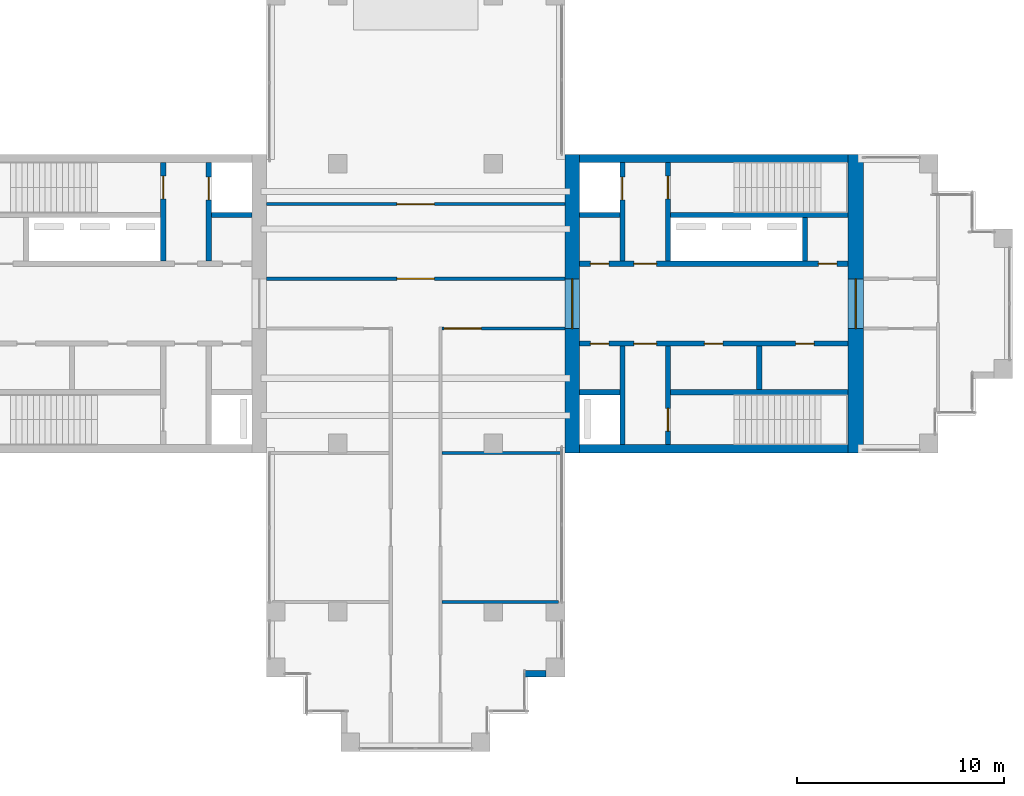
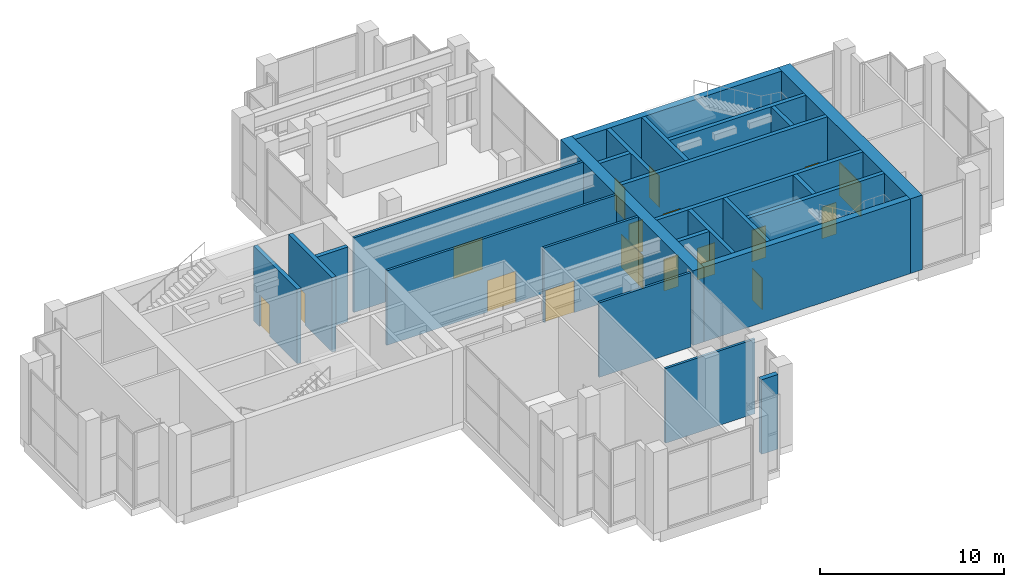
# One storey, part 11 of 13: 25 walls, 17 doors, 17 openings.
"""IFC4 building model written with IfcOpenShell, lengths in metres."""

import ifcopenshell
import ifcopenshell.guid

model = None  # the IFC model being written
_history = None  # IfcOwnerHistory: only IFC2X3 demands one
_inside = {}  # id of a spatial element -> (the spatial element, [elements in it])
_under = {}  # id of a project, library or spatial element -> (it, [spatial elements below it])
_declared = {}  # id of a project -> (the project, [libraries it declares])
_typed = {}  # id of a type object -> (the type object, [elements of that type])
_made_of = {}  # id of a material, layer set ... -> (it, [elements and type objects made of it])


def new_model(schema):
    """Start an empty IFC model of exactly this schema.

    Asked for "IFC4X3", IfcOpenShell would pick the latest addendum, in which some entities
    have other attributes; the version numbers below select the first issue.
    IFC2X3 requires an IfcOwnerHistory on every rooted entity: one is made here for all.
    """
    global model, _history
    if schema == "IFC4X3":
        model = ifcopenshell.file(schema_version=(4, 3, 0, 0))
    else:
        model = ifcopenshell.file(schema=schema)
    _inside.clear()
    _under.clear()
    _declared.clear()
    _typed.clear()
    _made_of.clear()
    _history = None
    if model.schema == "IFC2X3":
        org = make("IfcOrganization", Name="unknown")
        user = make(
            "IfcPersonAndOrganization",
            ThePerson=make("IfcPerson", FamilyName="unknown"),
            TheOrganization=org,
        )
        app = make(
            "IfcApplication",
            ApplicationDeveloper=org,
            Version="unknown",
            ApplicationFullName="unknown",
            ApplicationIdentifier="unknown",
        )
        _history = make(
            "IfcOwnerHistory",
            OwningUser=user,
            OwningApplication=app,
            ChangeAction="ADDED",
            CreationDate=0,
        )
    return model


def make(cls, **values):
    """One entity of the class cls with the attributes given. An attribute that is None is left unset."""
    return model.create_entity(
        cls, **{name: value for name, value in values.items() if value is not None}
    )


def rooted(cls, **values):
    """An entity with a GlobalId (a new one), such as an element, a storey or a relation."""
    return make(cls, GlobalId=ifcopenshell.guid.new(), OwnerHistory=_history, **values)


def si_unit(unit_type, name, prefix=None):
    """IfcSIUnit, for example si_unit("LENGTHUNIT", "METRE", prefix="MILLI")."""
    return make("IfcSIUnit", UnitType=unit_type, Prefix=prefix, Name=name)


def assignment(units):
    """IfcUnitAssignment: the units of a project."""
    return None if units is None else make("IfcUnitAssignment", Units=units)


def point(xyz):
    """IfcCartesianPoint."""
    return None if xyz is None else make("IfcCartesianPoint", Coordinates=xyz)


def direction(xyz):
    """IfcDirection."""
    return None if xyz is None else make("IfcDirection", DirectionRatios=xyz)


def frame(location, z_axis=None, x_axis=None):
    """IfcAxis2Placement3D, a coordinate frame: its origin and axes. An axis left out is left unset."""
    return make(
        "IfcAxis2Placement3D",
        Location=point(location),
        Axis=direction(z_axis),
        RefDirection=direction(x_axis),
    )


def frame_2d(location, x_axis=None):
    """IfcAxis2Placement2D, a coordinate frame in the plane: its origin and x axis."""
    return make(
        "IfcAxis2Placement2D", Location=point(location), RefDirection=direction(x_axis)
    )


def origin():
    """The frame at (0, 0, 0) with its axes left unset."""
    return frame((0.0, 0.0, 0.0))


def place(relative_to, where):
    """IfcLocalPlacement: puts the frame where relative to a parent placement (None: the world)."""
    return make(
        "IfcLocalPlacement", PlacementRelTo=relative_to, RelativePlacement=where
    )


def context(
    kind, dimensions, precision=None, world=None, true_north=None, identifier=None
):
    """IfcGeometricRepresentationContext, for example the 3D "Model" context."""
    return make(
        "IfcGeometricRepresentationContext",
        ContextIdentifier=identifier,
        ContextType=kind,
        CoordinateSpaceDimension=dimensions,
        Precision=precision,
        WorldCoordinateSystem=world,
        TrueNorth=true_north,
    )


def subcontext(parent, identifier, kind, view, scale=None):
    """IfcGeometricRepresentationSubContext, for example "Body" below "Model"."""
    return make(
        "IfcGeometricRepresentationSubContext",
        ContextIdentifier=identifier,
        ContextType=kind,
        ParentContext=parent,
        TargetScale=scale,
        TargetView=view,
    )


def project(units=None, contexts=None):
    """IfcProject with its units and contexts."""
    return rooted(
        "IfcProject",
        Name="project",
        RepresentationContexts=contexts,
        UnitsInContext=assignment(units),
    )


def spatial(cls, under=None, at=None, **own):
    """A site, building, storey or space (cls), placed at a placement, below another one or the project."""
    s = rooted(cls, ObjectPlacement=at, **own)
    if under is not None:
        _under.setdefault(under.id(), (under, []))[1].append(s)
    return s


def profile(cls, at=None, kind="AREA", **sizes):
    """A parametric profile (cls). Its sizes go by their IFC names, for example OverallWidth=200.0."""
    return make(cls, ProfileType=kind, Position=at, **sizes)


def rectangle(**sizes):
    """IfcRectangleProfileDef."""
    return profile("IfcRectangleProfileDef", **sizes)


def extrude(swept, where, along, depth):
    """IfcExtrudedAreaSolid: the profile swept, set in the frame where, extruded along a direction by depth."""
    return make(
        "IfcExtrudedAreaSolid",
        SweptArea=swept,
        Position=where,
        ExtrudedDirection=direction(along),
        Depth=depth,
    )


def shape(context_of_items, identifier, shape_type, items):
    """IfcShapeRepresentation: the items that make up one representation, for example the "Body"."""
    return make(
        "IfcShapeRepresentation",
        ContextOfItems=context_of_items,
        RepresentationIdentifier=identifier,
        RepresentationType=shape_type,
        Items=items,
    )


def material(Name=None, Category=None):
    """IfcMaterial."""
    return make("IfcMaterial", Name=Name, Category=Category)


def layer(
    of_material, thickness, ventilated=None, Name=None, Category=None, Priority=None
):
    """IfcMaterialLayer: one layer of a wall or slab, of a material (None: an air gap)."""
    return make(
        "IfcMaterialLayer",
        Material=of_material,
        LayerThickness=thickness,
        IsVentilated=ventilated,
        Name=Name,
        Category=Category,
        Priority=Priority,
    )


def layer_set(layers, Name=None):
    """IfcMaterialLayerSet."""
    return make("IfcMaterialLayerSet", MaterialLayers=layers, LayerSetName=Name)


def made_of(thing, what):
    """Note that an element or type object is made of a material, layer set ...; save() writes the relation."""
    if what is not None:
        _made_of.setdefault(what.id(), (what, []))[1].append(thing)
    return thing


def type_object(cls, material=None, **own):
    """A type object (cls), such as IfcWallType, which elements share."""
    return made_of(rooted(cls, **own), material)


def element(
    cls,
    number,
    at=None,
    inside=None,
    cuts=None,
    type_object=None,
    material=None,
    context=None,
    identifier="Body",
    shape_type=None,
    held_by="IfcProductDefinitionShape",
    body=None,
    shapes=None,
    **own,
):
    """One element of the class cls, such as IfcWall. Its Tag is "e" and its number.

    at: its placement. inside: the storey or other place that contains it. cuts: it is an
    opening in that element (IfcRelVoidsElement). A single representation is given by context,
    identifier, shape_type and body (its items); several are given by shapes. held_by: the class
    of the entity that holds the representations. save() writes the other relations.
    """
    e = rooted(cls, Tag="e%d" % number, ObjectPlacement=at, **own)
    if body is not None:
        shapes = [shape(context, identifier, shape_type, body)]
    if shapes is not None:
        e.Representation = make(held_by, Representations=shapes)
    if inside is not None:
        _inside.setdefault(inside.id(), (inside, []))[1].append(e)
    if cuts is not None:
        rooted(
            "IfcRelVoidsElement", RelatingBuildingElement=cuts, RelatedOpeningElement=e
        )
    if type_object is not None:
        _typed.setdefault(type_object.id(), (type_object, []))[1].append(e)
    return made_of(e, material)


def fill(opening, filler):
    """IfcRelFillsElement: the door or window that sits in an opening."""
    return rooted(
        "IfcRelFillsElement",
        RelatingOpeningElement=opening,
        RelatedBuildingElement=filler,
    )


def aggregate(whole, parts):
    """IfcRelAggregates: a whole, such as a stair, and the parts it consists of."""
    return rooted("IfcRelAggregates", RelatingObject=whole, RelatedObjects=parts)


def save(model, path):
    """Write the relations noted so far, then the file.

    IfcRelAggregates (storeys below a building ...), IfcRelContainedInSpatialStructure (elements
    in a storey), IfcRelDefinesByType, IfcRelAssociatesMaterial and IfcRelDeclares: one each for
    every whole, place, type object, material and project.
    """
    for whole, parts in _under.values():
        aggregate(whole, parts)
    for where, things in _inside.values():
        rooted(
            "IfcRelContainedInSpatialStructure",
            RelatedElements=things,
            RelatingStructure=where,
        )
    for kind, things in _typed.values():
        rooted("IfcRelDefinesByType", RelatedObjects=things, RelatingType=kind)
    for what, things in _made_of.values():
        rooted("IfcRelAssociatesMaterial", RelatedObjects=things, RelatingMaterial=what)
    for by, libraries in _declared.values():
        rooted("IfcRelDeclares", RelatingContext=by, RelatedDefinitions=libraries)
    model.write(path)


model = new_model("IFC4")

# Units and contexts
model_context = context("Model", 3, precision=1e-05, world=origin(), true_north=direction((0.0, 1.0)))
body_context = subcontext(model_context, "Body", "Model", "MODEL_VIEW")
ifc_project = project(units=[si_unit("LENGTHUNIT", "METRE"), si_unit("AREAUNIT", "SQUARE_METRE"), si_unit("VOLUMEUNIT", "CUBIC_METRE"), si_unit("PLANEANGLEUNIT", "RADIAN"), si_unit("MASSUNIT", "GRAM", prefix="KILO")], contexts=[model_context])

# Site, building, storey
site_placement = place(None, origin())
site = spatial("IfcSite", under=ifc_project, at=site_placement, CompositionType="ELEMENT")
building_placement = place(site_placement, origin())
building = spatial("IfcBuilding", under=site, at=building_placement, Name="Fustian Cross Tower", CompositionType="ELEMENT")
storey_placement = place(building_placement, frame((0.0, 0.0, 242.10009765625)))
storey = spatial("IfcBuildingStorey", under=building, at=storey_placement, Name="L76", CompositionType="ELEMENT", Elevation=242.10009765625)

# Wall, opening, door
ifc_material_1 = material(Name="Plasterboard on steel stud", Category="steel")
ifc_layer_1 = layer(ifc_material_1, 0.14990234375)
ifc_layer_set_1 = layer_set([ifc_layer_1], Name="Plasterboard on steel stud")
wall_type_1 = type_object("IfcWallType", Name="COMPARTMENT WALL 150 EI 60", PredefinedType="PARTITIONING", material=ifc_layer_set_1)
wall_1_placement = place(storey_placement, frame((-7.199951171875, 1.199951171875, 0.0), z_axis=(0.0, 0.0, 1.0), x_axis=(1.0, 0.0, 0.0)))
wall_1 = element("IfcWall", 1, at=wall_1_placement, inside=storey, type_object=wall_type_1, Name="Partition 5", PredefinedType="PARTITIONING", context=body_context, shape_type="SweptSolid", body=[
    extrude(rectangle(XDim=14.39990234375, YDim=0.14990234375, at=frame_2d((7.199951171875, 0.0))), origin(), (0.0, 0.0, 1.0), 4.949951171875),
])
opening_1_placement = place(wall_1_placement, frame((6.300048828125, 0.0, 0.0)))
opening_1 = element("IfcOpeningElement", 2, at=opening_1_placement, cuts=wall_1, Name="Opening D35001", PredefinedType="OPENING", context=body_context, shape_type="SweptSolid", body=[
    extrude(rectangle(XDim=1.800048828125, YDim=2.10009765625, at=frame_2d((0.89990234375, 1.050048828125))), frame((0.0, 0.0849609375, 0.0), z_axis=(0.0, -1.0, 0.0), x_axis=(1.0, 0.0, 0.0)), (0.0, 0.0, 1.0), 0.169921875),
])
ifc_material_2 = material(Name="Timber fire door set", Category="wood")
door_type_1 = type_object("IfcDoorType", Name="FIRE DOUBLE DOOR 1800 FD30S", OperationType="DOUBLE_DOOR_DOUBLE_SWING", PredefinedType="DOOR", material=ifc_material_2)
door_1_placement = place(opening_1_placement, frame((1.800048828125, 0.0, 0.0), z_axis=(0.0, 0.0, 1.0), x_axis=(-1.0, 0.0, 0.0)))
door_1 = element("IfcDoor", 3, at=door_1_placement, inside=storey, type_object=door_type_1, Name="Door D35001", OperationType="DOUBLE_DOOR_DOUBLE_SWING", OverallHeight=2.10009765625, OverallWidth=1.800048828125, PredefinedType="DOOR", context=body_context, shape_type="SweptSolid", body=[
    extrude(rectangle(XDim=1.800048828125, YDim=2.10009765625, at=frame_2d((0.89990234375, 1.050048828125))), frame((0.0, 0.02490234375, 0.0), z_axis=(0.0, -1.0, 0.0), x_axis=(1.0, 0.0, 0.0)), (0.0, 0.0, 1.0), 0.050048828125),
])
fill(opening_1, door_1)

wall_2_placement = place(storey_placement, frame((-7.199951171875, 4.800048828125, 0.0), z_axis=(0.0, 0.0, 1.0), x_axis=(1.0, 0.0, 0.0)))
wall_2 = element("IfcWall", 4, at=wall_2_placement, inside=storey, type_object=wall_type_1, Name="Partition 6", PredefinedType="PARTITIONING", context=body_context, shape_type="SweptSolid", body=[
    extrude(rectangle(XDim=14.39990234375, YDim=0.14990234375, at=frame_2d((7.199951171875, 0.0))), origin(), (0.0, 0.0, 1.0), 4.949951171875),
])
opening_2_placement = place(wall_2_placement, frame((6.300048828125, 0.0, 0.0)))
opening_2 = element("IfcOpeningElement", 5, at=opening_2_placement, cuts=wall_2, Name="Opening D35002", PredefinedType="OPENING", context=body_context, shape_type="SweptSolid", body=[
    extrude(rectangle(XDim=1.800048828125, YDim=2.10009765625, at=frame_2d((0.89990234375, 1.050048828125))), frame((0.0, 0.0849609375, 0.0), z_axis=(0.0, -1.0, 0.0), x_axis=(1.0, 0.0, 0.0)), (0.0, 0.0, 1.0), 0.169921875),
])
ifc_material_3 = material(Name="Timber fire door set", Category="wood")
door_type_2 = type_object("IfcDoorType", Name="FIRE DOUBLE DOOR 1800 FD60S", OperationType="DOUBLE_DOOR_DOUBLE_SWING", PredefinedType="DOOR", material=ifc_material_3)
door_2_placement = place(opening_2_placement, frame((1.800048828125, 0.0, 0.0), z_axis=(0.0, 0.0, 1.0), x_axis=(-1.0, 0.0, 0.0)))
door_2 = element("IfcDoor", 6, at=door_2_placement, inside=storey, type_object=door_type_2, Name="Door D35002", OperationType="DOUBLE_DOOR_DOUBLE_SWING", OverallHeight=2.10009765625, OverallWidth=1.800048828125, PredefinedType="DOOR", context=body_context, shape_type="SweptSolid", body=[
    extrude(rectangle(XDim=1.800048828125, YDim=2.10009765625, at=frame_2d((0.89990234375, 1.050048828125))), frame((0.0, 0.02490234375, 0.0), z_axis=(0.0, -1.0, 0.0), x_axis=(1.0, 0.0, 0.0)), (0.0, 0.0, 1.0), 0.050048828125),
])
fill(opening_2, door_2)

# Walls
wall_3_placement = place(storey_placement, frame((1.27490234375, -14.39990234375, 0.0), z_axis=(0.0, 0.0, 1.0), x_axis=(1.0, 0.0, 0.0)))
element("IfcWall", 7, at=wall_3_placement, inside=storey, type_object=wall_type_1, Name="Partition 11", PredefinedType="PARTITIONING", context=body_context, shape_type="SweptSolid", body=[
    extrude(rectangle(XDim=5.625, YDim=0.14990234375, at=frame_2d((2.8125, 0.0))), origin(), (0.0, 0.0, 1.0), 4.949951171875),
])
wall_4_placement = place(storey_placement, frame((1.27490234375, -7.199951171875, 0.0), z_axis=(0.0, 0.0, 1.0), x_axis=(1.0, 0.0, 0.0)))
element("IfcWall", 8, at=wall_4_placement, inside=storey, type_object=wall_type_1, Name="Partition 12", PredefinedType="PARTITIONING", context=body_context, shape_type="SweptSolid", body=[
    extrude(rectangle(XDim=5.7451171875, YDim=0.14990234375, at=frame_2d((2.87255859375, 0.0))), origin(), (0.0, 0.0, 1.0), 4.949951171875),
])

# Wall, opening, door
wall_5_placement = place(storey_placement, frame((1.27490234375, -1.199951171875, 0.0), z_axis=(0.0, 0.0, 1.0), x_axis=(1.0, 0.0, 0.0)))
wall_5 = element("IfcWall", 9, at=wall_5_placement, inside=storey, type_object=wall_type_1, Name="Partition 13", PredefinedType="PARTITIONING", context=body_context, shape_type="SweptSolid", body=[
    extrude(rectangle(XDim=5.925048828125, YDim=0.14990234375, at=frame_2d((2.96240234375, 0.0))), origin(), (0.0, 0.0, 1.0), 4.949951171875),
])
opening_3_placement = place(wall_5_placement, frame((0.10009765625, 0.0, 0.0)))
opening_3 = element("IfcOpeningElement", 10, at=opening_3_placement, cuts=wall_5, Name="Opening D35004", PredefinedType="OPENING", context=body_context, shape_type="SweptSolid", body=[
    extrude(rectangle(XDim=1.800048828125, YDim=2.10009765625, at=frame_2d((0.89990234375, 1.050048828125))), frame((0.0, 0.0849609375, 0.0), z_axis=(0.0, -1.0, 0.0), x_axis=(1.0, 0.0, 0.0)), (0.0, 0.0, 1.0), 0.169921875),
])
door_3_placement = place(opening_3_placement, origin())
door_3 = element("IfcDoor", 11, at=door_3_placement, inside=storey, type_object=door_type_2, Name="Door D35004", OperationType="DOUBLE_DOOR_DOUBLE_SWING", OverallHeight=2.10009765625, OverallWidth=1.800048828125, PredefinedType="DOOR", context=body_context, shape_type="SweptSolid", body=[
    extrude(rectangle(XDim=1.800048828125, YDim=2.10009765625, at=frame_2d((0.89990234375, 1.050048828125))), frame((0.0, 0.02490234375, 0.0), z_axis=(0.0, -1.0, 0.0), x_axis=(1.0, 0.0, 0.0)), (0.0, 0.0, 1.0), 0.050048828125),
])
fill(opening_3, door_3)

ifc_material_4 = material(Name="Concrete C50/60", Category="concrete")
ifc_layer_2 = layer(ifc_material_4, 0.699951171875)
ifc_layer_set_2 = layer_set([ifc_layer_2], Name="Concrete C50/60")
wall_type_2 = type_object("IfcWallType", Name="CORE END WALL 700 C50/60", PredefinedType="SHEAR", material=ifc_layer_set_2)
wall_6_placement = place(storey_placement, frame((7.550048828125, -7.199951171875, 0.0), z_axis=(0.0, 0.0, 1.0), x_axis=(0.0, 1.0, 0.0)))
wall_6 = element("IfcWall", 12, at=wall_6_placement, inside=storey, type_object=wall_type_2, Name="Core end wall", PredefinedType="SHEAR", context=body_context, shape_type="SweptSolid", body=[
    extrude(rectangle(XDim=14.39990234375, YDim=0.699951171875, at=frame_2d((7.199951171875, 0.0))), origin(), (0.0, 0.0, 1.0), 4.949951171875),
])
opening_4_placement = place(wall_6_placement, frame((6.0, 0.0, 0.0)))
opening_4 = element("IfcOpeningElement", 13, at=opening_4_placement, cuts=wall_6, Name="Opening CD-31-08", PredefinedType="OPENING", context=body_context, shape_type="SweptSolid", body=[
    extrude(rectangle(XDim=2.39990234375, YDim=2.199951171875, at=frame_2d((1.199951171875, 1.10009765625))), frame((0.0, 0.35986328125, 0.0), z_axis=(0.0, -1.0, 0.0), x_axis=(1.0, 0.0, 0.0)), (0.0, 0.0, 1.0), 0.719970703125),
])
ifc_material_5 = material(Name="Steel", Category="steel")
door_type_3 = type_object("IfcDoorType", Name="FIRE DOOR FD30S DOUBLE 2400X2200", OperationType="DOUBLE_DOOR_DOUBLE_SWING", PredefinedType="DOOR", material=ifc_material_5)
door_4_placement = place(opening_4_placement, frame((2.39990234375, 0.0, 0.0), z_axis=(0.0, 0.0, 1.0), x_axis=(-1.0, 0.0, 0.0)))
door_4 = element("IfcDoor", 14, at=door_4_placement, inside=storey, type_object=door_type_3, Name="Core door CD-31-08", OperationType="DOUBLE_DOOR_DOUBLE_SWING", OverallHeight=2.199951171875, OverallWidth=2.39990234375, PredefinedType="DOOR", context=body_context, shape_type="SweptSolid", body=[
    extrude(rectangle(XDim=2.39990234375, YDim=2.199951171875, at=frame_2d((1.199951171875, 1.10009765625))), frame((0.0, 0.02490234375, 0.0), z_axis=(0.0, -1.0, 0.0), x_axis=(1.0, 0.0, 0.0)), (0.0, 0.0, 1.0), 0.050048828125),
])
fill(opening_4, door_4)

ifc_material_6 = material(Name="Concrete C50/60", Category="concrete")
ifc_layer_3 = layer(ifc_material_6, 0.75)
ifc_layer_set_3 = layer_set([ifc_layer_3], Name="Concrete C50/60")
wall_type_3 = type_object("IfcWallType", Name="CORE END WALL 750 C50/60", PredefinedType="SHEAR", material=ifc_layer_set_3)
wall_7_placement = place(storey_placement, frame((21.22509765625, -7.199951171875, 0.0), z_axis=(0.0, 0.0, 1.0), x_axis=(0.0, 1.0, 0.0)))
wall_7 = element("IfcWall", 15, at=wall_7_placement, inside=storey, type_object=wall_type_3, Name="Core end wall", PredefinedType="SHEAR", context=body_context, shape_type="SweptSolid", body=[
    extrude(rectangle(XDim=14.39990234375, YDim=0.75, at=frame_2d((7.199951171875, 0.0))), origin(), (0.0, 0.0, 1.0), 4.949951171875),
])
opening_5_placement = place(wall_7_placement, frame((6.0, 0.0, 0.0)))
opening_5 = element("IfcOpeningElement", 16, at=opening_5_placement, cuts=wall_7, Name="Opening CD-31-09", PredefinedType="OPENING", context=body_context, shape_type="SweptSolid", body=[
    extrude(rectangle(XDim=2.39990234375, YDim=2.199951171875, at=frame_2d((1.199951171875, 1.10009765625))), frame((0.0, 0.385009765625, 0.0), z_axis=(0.0, -1.0, 0.0), x_axis=(1.0, 0.0, 0.0)), (0.0, 0.0, 1.0), 0.77001953125),
])
door_5_placement = place(opening_5_placement, origin())
door_5 = element("IfcDoor", 17, at=door_5_placement, inside=storey, type_object=door_type_3, Name="Core door CD-31-09", OperationType="DOUBLE_DOOR_DOUBLE_SWING", OverallHeight=2.199951171875, OverallWidth=2.39990234375, PredefinedType="DOOR", context=body_context, shape_type="SweptSolid", body=[
    extrude(rectangle(XDim=2.39990234375, YDim=2.199951171875, at=frame_2d((1.199951171875, 1.10009765625))), frame((0.0, 0.02490234375, 0.0), z_axis=(0.0, -1.0, 0.0), x_axis=(1.0, 0.0, 0.0)), (0.0, 0.0, 1.0), 0.050048828125),
])
fill(opening_5, door_5)

# Walls
ifc_material_7 = material(Name="Concrete C50/60", Category="concrete")
ifc_layer_4 = layer(ifc_material_7, 0.39990234375)
ifc_layer_set_4 = layer_set([ifc_layer_4], Name="Concrete C50/60")
wall_type_4 = type_object("IfcWallType", Name="CORE FACADE WALL 400 C50/60", PredefinedType="SHEAR", material=ifc_layer_set_4)
for number, where, z_axis, x_axis, name in (
    (18, (7.89990234375, 7.0, 0.0), (0.0, 0.0, 1.0), (1.0, 0.0, 0.0), "Core facade wall"),
    (19, (7.89990234375, -7.0, 0.0), (0.0, 0.0, 1.0), (1.0, 0.0, 0.0), "Core facade wall"),
):
    element("IfcWall", number, at=place(storey_placement, frame(where, z_axis=z_axis, x_axis=x_axis)), inside=storey, type_object=wall_type_4, Name=name, PredefinedType="SHEAR", context=body_context, shape_type="SweptSolid", body=[
        extrude(rectangle(XDim=12.9501953125, YDim=0.39990234375, at=frame_2d((6.47509765625, 0.0))), origin(), (0.0, 0.0, 1.0), 4.949951171875),
    ])

# Wall, openings, doors
ifc_material_8 = material(Name="Concrete C50/60", Category="concrete")
ifc_layer_5 = layer(ifc_material_8, 0.25)
ifc_layer_set_5 = layer_set([ifc_layer_5], Name="Concrete C50/60")
wall_type_5 = type_object("IfcWallType", Name="CORE LOBBY WALL 250 C50/60", PredefinedType="SHEAR", material=ifc_layer_set_5)
wall_8_placement = place(storey_placement, frame((7.89990234375, 1.925048828125, 0.0), z_axis=(0.0, 0.0, 1.0), x_axis=(1.0, 0.0, 0.0)))
wall_8 = element("IfcWall", 20, at=wall_8_placement, inside=storey, type_object=wall_type_5, Name="Core lobby wall", PredefinedType="SHEAR", context=body_context, shape_type="SweptSolid", body=[
    extrude(rectangle(XDim=12.9501953125, YDim=0.25, at=frame_2d((6.47509765625, 0.0))), origin(), (0.0, 0.0, 1.0), 4.949951171875),
])
opening_6_placement = place(wall_8_placement, frame((0.52490234375, 0.0, 0.0)))
opening_6 = element("IfcOpeningElement", 21, at=opening_6_placement, cuts=wall_8, Name="Opening CD-31-04", PredefinedType="OPENING", context=body_context, shape_type="SweptSolid", body=[
    extrude(rectangle(XDim=0.89990234375, YDim=2.10009765625, at=frame_2d((0.449951171875, 1.050048828125))), frame((0.0, 0.135009765625, 0.0), z_axis=(0.0, -1.0, 0.0), x_axis=(1.0, 0.0, 0.0)), (0.0, 0.0, 1.0), 0.27001953125),
])
opening_7_placement = place(wall_8_placement, frame((2.625, 0.0, 0.0)))
opening_7 = element("IfcOpeningElement", 22, at=opening_7_placement, cuts=wall_8, Name="Opening CD-31-06", PredefinedType="OPENING", context=body_context, shape_type="SweptSolid", body=[
    extrude(rectangle(XDim=1.10009765625, YDim=2.10009765625, at=frame_2d((0.550048828125, 1.050048828125))), frame((0.0, 0.135009765625, 0.0), z_axis=(0.0, -1.0, 0.0), x_axis=(1.0, 0.0, 0.0)), (0.0, 0.0, 1.0), 0.27001953125),
])
opening_8_placement = place(wall_8_placement, frame((11.52490234375, 0.0, 0.0)))
opening_8 = element("IfcOpeningElement", 23, at=opening_8_placement, cuts=wall_8, Name="Opening CD-31-10", PredefinedType="OPENING", context=body_context, shape_type="SweptSolid", body=[
    extrude(rectangle(XDim=0.89990234375, YDim=2.10009765625, at=frame_2d((0.449951171875, 1.050048828125))), frame((0.0, 0.135009765625, 0.0), z_axis=(0.0, -1.0, 0.0), x_axis=(1.0, 0.0, 0.0)), (0.0, 0.0, 1.0), 0.27001953125),
])
ifc_material_9 = material(Name="Steel", Category="steel")
door_type_4 = type_object("IfcDoorType", Name="FIRE DOOR FD30S 900X2100", OperationType="SINGLE_SWING_LEFT", PredefinedType="DOOR", material=ifc_material_9)
door_6_placement = place(opening_8_placement, origin())
door_6 = element("IfcDoor", 24, at=door_6_placement, inside=storey, type_object=door_type_4, Name="Core door CD-31-10", OperationType="SINGLE_SWING_LEFT", OverallHeight=2.10009765625, OverallWidth=0.89990234375, PredefinedType="DOOR", context=body_context, shape_type="SweptSolid", body=[
    extrude(rectangle(XDim=0.89990234375, YDim=2.10009765625, at=frame_2d((0.449951171875, 1.050048828125))), frame((0.0, 0.02490234375, 0.0), z_axis=(0.0, -1.0, 0.0), x_axis=(1.0, 0.0, 0.0)), (0.0, 0.0, 1.0), 0.050048828125),
])
fill(opening_8, door_6)
ifc_material_10 = material(Name="Steel", Category="steel")
door_type_5 = type_object("IfcDoorType", Name="FIRE DOOR FD60S 1100X2100", OperationType="SINGLE_SWING_LEFT", PredefinedType="DOOR", material=ifc_material_10)
door_7_placement = place(opening_7_placement, frame((1.10009765625, 0.0, 0.0), z_axis=(0.0, 0.0, 1.0), x_axis=(-1.0, 0.0, 0.0)))
door_7 = element("IfcDoor", 25, at=door_7_placement, inside=storey, type_object=door_type_5, Name="Core door CD-31-06", OperationType="SINGLE_SWING_RIGHT", OverallHeight=2.10009765625, OverallWidth=1.10009765625, PredefinedType="DOOR", context=body_context, shape_type="SweptSolid", body=[
    extrude(rectangle(XDim=1.10009765625, YDim=2.10009765625, at=frame_2d((0.550048828125, 1.050048828125))), frame((0.0, 0.02490234375, 0.0), z_axis=(0.0, -1.0, 0.0), x_axis=(1.0, 0.0, 0.0)), (0.0, 0.0, 1.0), 0.050048828125),
])
fill(opening_7, door_7)
ifc_material_11 = material(Name="Steel", Category="steel")
door_type_6 = type_object("IfcDoorType", Name="FIRE DOOR FD60S 900X2100", OperationType="SINGLE_SWING_LEFT", PredefinedType="DOOR", material=ifc_material_11)
door_8_placement = place(opening_6_placement, origin())
door_8 = element("IfcDoor", 26, at=door_8_placement, inside=storey, type_object=door_type_6, Name="Core door CD-31-04", OperationType="SINGLE_SWING_LEFT", OverallHeight=2.10009765625, OverallWidth=0.89990234375, PredefinedType="DOOR", context=body_context, shape_type="SweptSolid", body=[
    extrude(rectangle(XDim=0.89990234375, YDim=2.10009765625, at=frame_2d((0.449951171875, 1.050048828125))), frame((0.0, 0.02490234375, 0.0), z_axis=(0.0, -1.0, 0.0), x_axis=(1.0, 0.0, 0.0)), (0.0, 0.0, 1.0), 0.050048828125),
])
fill(opening_6, door_8)

wall_9_placement = place(storey_placement, frame((7.89990234375, -1.925048828125, 0.0), z_axis=(0.0, 0.0, 1.0), x_axis=(1.0, 0.0, 0.0)))
wall_9 = element("IfcWall", 27, at=wall_9_placement, inside=storey, type_object=wall_type_5, Name="Core lobby wall", PredefinedType="SHEAR", context=body_context, shape_type="SweptSolid", body=[
    extrude(rectangle(XDim=12.9501953125, YDim=0.25, at=frame_2d((6.47509765625, 0.0))), origin(), (0.0, 0.0, 1.0), 4.949951171875),
])
opening_9_placement = place(wall_9_placement, frame((0.52490234375, 0.0, 0.0)))
opening_9 = element("IfcOpeningElement", 28, at=opening_9_placement, cuts=wall_9, Name="Opening CD-31-05", PredefinedType="OPENING", context=body_context, shape_type="SweptSolid", body=[
    extrude(rectangle(XDim=0.89990234375, YDim=2.10009765625, at=frame_2d((0.449951171875, 1.050048828125))), frame((0.0, 0.135009765625, 0.0), z_axis=(0.0, -1.0, 0.0), x_axis=(1.0, 0.0, 0.0)), (0.0, 0.0, 1.0), 0.27001953125),
])
opening_10_placement = place(wall_9_placement, frame((2.625, 0.0, 0.0)))
opening_10 = element("IfcOpeningElement", 29, at=opening_10_placement, cuts=wall_9, Name="Opening CD-31-07", PredefinedType="OPENING", context=body_context, shape_type="SweptSolid", body=[
    extrude(rectangle(XDim=1.10009765625, YDim=2.10009765625, at=frame_2d((0.550048828125, 1.050048828125))), frame((0.0, 0.135009765625, 0.0), z_axis=(0.0, -1.0, 0.0), x_axis=(1.0, 0.0, 0.0)), (0.0, 0.0, 1.0), 0.27001953125),
])
opening_11_placement = place(wall_9_placement, frame((6.02490234375, 0.0, 0.0)))
opening_11 = element("IfcOpeningElement", 30, at=opening_11_placement, cuts=wall_9, Name="Opening CD-31-11", PredefinedType="OPENING", context=body_context, shape_type="SweptSolid", body=[
    extrude(rectangle(XDim=0.89990234375, YDim=2.10009765625, at=frame_2d((0.449951171875, 1.050048828125))), frame((0.0, 0.135009765625, 0.0), z_axis=(0.0, -1.0, 0.0), x_axis=(1.0, 0.0, 0.0)), (0.0, 0.0, 1.0), 0.27001953125),
])
opening_12_placement = place(wall_9_placement, frame((10.425048828125, 0.0, 0.0)))
opening_12 = element("IfcOpeningElement", 31, at=opening_12_placement, cuts=wall_9, Name="Opening CD-31-12", PredefinedType="OPENING", context=body_context, shape_type="SweptSolid", body=[
    extrude(rectangle(XDim=0.89990234375, YDim=2.10009765625, at=frame_2d((0.449951171875, 1.050048828125))), frame((0.0, 0.135009765625, 0.0), z_axis=(0.0, -1.0, 0.0), x_axis=(1.0, 0.0, 0.0)), (0.0, 0.0, 1.0), 0.27001953125),
])
ifc_material_12 = material(Name="Steel", Category="steel")
door_type_7 = type_object("IfcDoorType", Name="FIRE DOOR FD30S 1100X2100", OperationType="SINGLE_SWING_LEFT", PredefinedType="DOOR", material=ifc_material_12)
door_9_placement = place(opening_10_placement, frame((1.10009765625, 0.0, 0.0), z_axis=(0.0, 0.0, 1.0), x_axis=(-1.0, 0.0, 0.0)))
door_9 = element("IfcDoor", 32, at=door_9_placement, inside=storey, type_object=door_type_7, Name="Core door CD-31-07", OperationType="SINGLE_SWING_RIGHT", OverallHeight=2.10009765625, OverallWidth=1.10009765625, PredefinedType="DOOR", context=body_context, shape_type="SweptSolid", body=[
    extrude(rectangle(XDim=1.10009765625, YDim=2.10009765625, at=frame_2d((0.550048828125, 1.050048828125))), frame((0.0, 0.02490234375, 0.0), z_axis=(0.0, -1.0, 0.0), x_axis=(1.0, 0.0, 0.0)), (0.0, 0.0, 1.0), 0.050048828125),
])
fill(opening_10, door_9)
door_10_placement = place(opening_9_placement, frame((0.89990234375, 0.0, 0.0), z_axis=(0.0, 0.0, 1.0), x_axis=(-1.0, 0.0, 0.0)))
door_10 = element("IfcDoor", 33, at=door_10_placement, inside=storey, type_object=door_type_4, Name="Core door CD-31-05", OperationType="SINGLE_SWING_RIGHT", OverallHeight=2.10009765625, OverallWidth=0.89990234375, PredefinedType="DOOR", context=body_context, shape_type="SweptSolid", body=[
    extrude(rectangle(XDim=0.89990234375, YDim=2.10009765625, at=frame_2d((0.449951171875, 1.050048828125))), frame((0.0, 0.02490234375, 0.0), z_axis=(0.0, -1.0, 0.0), x_axis=(1.0, 0.0, 0.0)), (0.0, 0.0, 1.0), 0.050048828125),
])
fill(opening_9, door_10)
door_11_placement = place(opening_11_placement, frame((0.89990234375, 0.0, 0.0), z_axis=(0.0, 0.0, 1.0), x_axis=(-1.0, 0.0, 0.0)))
door_11 = element("IfcDoor", 34, at=door_11_placement, inside=storey, type_object=door_type_4, Name="Core door CD-31-11", OperationType="SINGLE_SWING_LEFT", OverallHeight=2.10009765625, OverallWidth=0.89990234375, PredefinedType="DOOR", context=body_context, shape_type="SweptSolid", body=[
    extrude(rectangle(XDim=0.89990234375, YDim=2.10009765625, at=frame_2d((0.449951171875, 1.050048828125))), frame((0.0, 0.02490234375, 0.0), z_axis=(0.0, -1.0, 0.0), x_axis=(1.0, 0.0, 0.0)), (0.0, 0.0, 1.0), 0.050048828125),
])
fill(opening_11, door_11)
door_12_placement = place(opening_12_placement, frame((0.89990234375, 0.0, 0.0), z_axis=(0.0, 0.0, 1.0), x_axis=(-1.0, 0.0, 0.0)))
door_12 = element("IfcDoor", 35, at=door_12_placement, inside=storey, type_object=door_type_4, Name="Core door CD-31-12", OperationType="SINGLE_SWING_LEFT", OverallHeight=2.10009765625, OverallWidth=0.89990234375, PredefinedType="DOOR", context=body_context, shape_type="SweptSolid", body=[
    extrude(rectangle(XDim=0.89990234375, YDim=2.10009765625, at=frame_2d((0.449951171875, 1.050048828125))), frame((0.0, 0.02490234375, 0.0), z_axis=(0.0, -1.0, 0.0), x_axis=(1.0, 0.0, 0.0)), (0.0, 0.0, 1.0), 0.050048828125),
])
fill(opening_12, door_12)

# Walls
ifc_material_13 = material(Name="Concrete C50/60", Category="concrete")
ifc_layer_6 = layer(ifc_material_13, 0.25)
ifc_layer_set_6 = layer_set([ifc_layer_6], Name="Concrete C50/60")
wall_type_6 = type_object("IfcWallType", Name="CORE SHAFT WALL 250 C50/60", PredefinedType="SHEAR", material=ifc_layer_set_6)
wall_10_placement = place(storey_placement, frame((7.89990234375, 4.27490234375, 0.0), z_axis=(0.0, 0.0, 1.0), x_axis=(1.0, 0.0, 0.0)))
element("IfcWall", 36, at=wall_10_placement, inside=storey, type_object=wall_type_6, Name="Core shaft wall", PredefinedType="SHEAR", context=body_context, shape_type="SweptSolid", body=[
    extrude(rectangle(XDim=1.9501953125, YDim=0.25, at=frame_2d((0.97509765625, 0.0))), origin(), (0.0, 0.0, 1.0), 4.949951171875),
])
wall_11_placement = place(storey_placement, frame((12.300048828125, 4.27490234375, 0.0), z_axis=(0.0, 0.0, 1.0), x_axis=(1.0, 0.0, 0.0)))
element("IfcWall", 37, at=wall_11_placement, inside=storey, type_object=wall_type_6, Name="Core shaft wall", PredefinedType="SHEAR", context=body_context, shape_type="SweptSolid", body=[
    extrude(rectangle(XDim=8.550048828125, YDim=0.25, at=frame_2d((4.27490234375, 0.0))), origin(), (0.0, 0.0, 1.0), 4.949951171875),
])

# Wall, opening, door
wall_12_placement = place(storey_placement, frame((9.97509765625, 2.050048828125, 0.0), z_axis=(0.0, 0.0, 1.0), x_axis=(0.0, 1.0, 0.0)))
wall_12 = element("IfcWall", 38, at=wall_12_placement, inside=storey, type_object=wall_type_6, Name="Core shaft wall", PredefinedType="SHEAR", context=body_context, shape_type="SweptSolid", body=[
    extrude(rectangle(XDim=4.75, YDim=0.25, at=frame_2d((2.375, 0.0))), origin(), (0.0, 0.0, 1.0), 4.949951171875),
])
opening_13_placement = place(wall_12_placement, frame((2.949951171875, 0.0, 0.0)))
opening_13 = element("IfcOpeningElement", 39, at=opening_13_placement, cuts=wall_12, Name="Opening LD", PredefinedType="OPENING", context=body_context, shape_type="SweptSolid", body=[
    extrude(rectangle(XDim=1.10009765625, YDim=2.10009765625, at=frame_2d((0.550048828125, 1.050048828125))), frame((0.0, 0.135009765625, 0.0), z_axis=(0.0, -1.0, 0.0), x_axis=(1.0, 0.0, 0.0)), (0.0, 0.0, 1.0), 0.27001953125),
])
ifc_material_14 = material(Name="Stainless steel", Category="steel")
door_type_8 = type_object("IfcDoorType", Name="LIFT LANDING DOOR 1100X2100", OperationType="SLIDING_TO_LEFT", PredefinedType="DOOR", material=ifc_material_14)
door_13_placement = place(opening_13_placement, origin())
door_13 = element("IfcDoor", 40, at=door_13_placement, inside=storey, type_object=door_type_8, Name="Landing door FL1", OperationType="SLIDING_TO_LEFT", OverallHeight=2.10009765625, OverallWidth=1.10009765625, PredefinedType="DOOR", context=body_context, shape_type="SweptSolid", body=[
    extrude(rectangle(XDim=1.10009765625, YDim=2.10009765625, at=frame_2d((0.550048828125, 1.050048828125))), frame((0.0, 0.02490234375, 0.0), z_axis=(0.0, -1.0, 0.0), x_axis=(1.0, 0.0, 0.0)), (0.0, 0.0, 1.0), 0.050048828125),
])
fill(opening_13, door_13)

wall_13_placement = place(storey_placement, frame((12.175048828125, 2.050048828125, 0.0), z_axis=(0.0, 0.0, 1.0), x_axis=(0.0, 1.0, 0.0)))
wall_13 = element("IfcWall", 41, at=wall_13_placement, inside=storey, type_object=wall_type_6, Name="Core shaft wall", PredefinedType="SHEAR", context=body_context, shape_type="SweptSolid", body=[
    extrude(rectangle(XDim=4.75, YDim=0.25, at=frame_2d((2.375, 0.0))), origin(), (0.0, 0.0, 1.0), 4.949951171875),
])
opening_14_placement = place(wall_13_placement, frame((3.0, 0.0, 0.0)))
opening_14 = element("IfcOpeningElement", 42, at=opening_14_placement, cuts=wall_13, Name="Opening CD-31-02", PredefinedType="OPENING", context=body_context, shape_type="SweptSolid", body=[
    extrude(rectangle(XDim=1.10009765625, YDim=2.10009765625, at=frame_2d((0.550048828125, 1.050048828125))), frame((0.0, 0.135009765625, 0.0), z_axis=(0.0, -1.0, 0.0), x_axis=(1.0, 0.0, 0.0)), (0.0, 0.0, 1.0), 0.27001953125),
])
door_14_placement = place(opening_14_placement, frame((1.10009765625, 0.0, 0.0), z_axis=(0.0, 0.0, 1.0), x_axis=(-1.0, 0.0, 0.0)))
door_14 = element("IfcDoor", 43, at=door_14_placement, inside=storey, type_object=door_type_5, Name="Core door CD-31-02", OperationType="SINGLE_SWING_RIGHT", OverallHeight=2.10009765625, OverallWidth=1.10009765625, PredefinedType="DOOR", context=body_context, shape_type="SweptSolid", body=[
    extrude(rectangle(XDim=1.10009765625, YDim=2.10009765625, at=frame_2d((0.550048828125, 1.050048828125))), frame((0.0, 0.02490234375, 0.0), z_axis=(0.0, -1.0, 0.0), x_axis=(1.0, 0.0, 0.0)), (0.0, 0.0, 1.0), 0.050048828125),
])
fill(opening_14, door_14)

# Walls
wall_14_placement = place(storey_placement, frame((7.89990234375, -4.27490234375, 0.0), z_axis=(0.0, 0.0, 1.0), x_axis=(1.0, 0.0, 0.0)))
element("IfcWall", 44, at=wall_14_placement, inside=storey, type_object=wall_type_6, Name="Core shaft wall", PredefinedType="SHEAR", context=body_context, shape_type="SweptSolid", body=[
    extrude(rectangle(XDim=1.9501953125, YDim=0.25, at=frame_2d((0.97509765625, 0.0))), origin(), (0.0, 0.0, 1.0), 4.949951171875),
])
wall_15_placement = place(storey_placement, frame((12.300048828125, -4.27490234375, 0.0), z_axis=(0.0, 0.0, 1.0), x_axis=(1.0, 0.0, 0.0)))
element("IfcWall", 45, at=wall_15_placement, inside=storey, type_object=wall_type_6, Name="Core shaft wall", PredefinedType="SHEAR", context=body_context, shape_type="SweptSolid", body=[
    extrude(rectangle(XDim=8.550048828125, YDim=0.25, at=frame_2d((4.27490234375, 0.0))), origin(), (0.0, 0.0, 1.0), 4.949951171875),
])
wall_16_placement = place(storey_placement, frame((9.97509765625, -2.050048828125, 0.0), z_axis=(0.0, 0.0, 1.0), x_axis=(0.0, -1.0, 0.0)))
element("IfcWall", 46, at=wall_16_placement, inside=storey, type_object=wall_type_6, Name="Core shaft wall", PredefinedType="SHEAR", context=body_context, shape_type="SweptSolid", body=[
    extrude(rectangle(XDim=4.75, YDim=0.25, at=frame_2d((2.375, 0.0))), origin(), (0.0, 0.0, 1.0), 4.949951171875),
])

# Wall, opening, door
wall_17_placement = place(storey_placement, frame((12.175048828125, -2.050048828125, 0.0), z_axis=(0.0, 0.0, 1.0), x_axis=(0.0, -1.0, 0.0)))
wall_17 = element("IfcWall", 47, at=wall_17_placement, inside=storey, type_object=wall_type_6, Name="Core shaft wall", PredefinedType="SHEAR", context=body_context, shape_type="SweptSolid", body=[
    extrude(rectangle(XDim=4.75, YDim=0.25, at=frame_2d((2.375, 0.0))), origin(), (0.0, 0.0, 1.0), 4.949951171875),
])
opening_15_placement = place(wall_17_placement, frame((3.0, 0.0, 0.0)))
opening_15 = element("IfcOpeningElement", 48, at=opening_15_placement, cuts=wall_17, Name="Opening CD-31-03", PredefinedType="OPENING", context=body_context, shape_type="SweptSolid", body=[
    extrude(rectangle(XDim=1.10009765625, YDim=2.10009765625, at=frame_2d((0.550048828125, 1.050048828125))), frame((0.0, 0.135009765625, 0.0), z_axis=(0.0, -1.0, 0.0), x_axis=(1.0, 0.0, 0.0)), (0.0, 0.0, 1.0), 0.27001953125),
])
door_15_placement = place(opening_15_placement, origin())
door_15 = element("IfcDoor", 49, at=door_15_placement, inside=storey, type_object=door_type_5, Name="Core door CD-31-03", OperationType="SINGLE_SWING_LEFT", OverallHeight=2.10009765625, OverallWidth=1.10009765625, PredefinedType="DOOR", context=body_context, shape_type="SweptSolid", body=[
    extrude(rectangle(XDim=1.10009765625, YDim=2.10009765625, at=frame_2d((0.550048828125, 1.050048828125))), frame((0.0, 0.02490234375, 0.0), z_axis=(0.0, -1.0, 0.0), x_axis=(1.0, 0.0, 0.0)), (0.0, 0.0, 1.0), 0.050048828125),
])
fill(opening_15, door_15)

# Wall
wall_18_placement = place(storey_placement, frame((-7.89990234375, 4.27490234375, 0.0), z_axis=(0.0, 0.0, 1.0), x_axis=(-1.0, 0.0, 0.0)))
element("IfcWall", 50, at=wall_18_placement, inside=storey, type_object=wall_type_6, Name="Core shaft wall", PredefinedType="SHEAR", context=body_context, shape_type="SweptSolid", body=[
    extrude(rectangle(XDim=1.9501953125, YDim=0.25, at=frame_2d((0.97509765625, 0.0))), origin(), (0.0, 0.0, 1.0), 4.949951171875),
])

# Wall, opening, door
wall_19_placement = place(storey_placement, frame((-9.97509765625, 2.050048828125, 0.0), z_axis=(0.0, 0.0, 1.0), x_axis=(0.0, 1.0, 0.0)))
wall_19 = element("IfcWall", 51, at=wall_19_placement, inside=storey, type_object=wall_type_6, Name="Core shaft wall", PredefinedType="SHEAR", context=body_context, shape_type="SweptSolid", body=[
    extrude(rectangle(XDim=4.75, YDim=0.25, at=frame_2d((2.375, 0.0))), origin(), (0.0, 0.0, 1.0), 4.949951171875),
])
opening_16_placement = place(wall_19_placement, frame((2.949951171875, 0.0, 0.0)))
opening_16 = element("IfcOpeningElement", 52, at=opening_16_placement, cuts=wall_19, Name="Opening LD", PredefinedType="OPENING", context=body_context, shape_type="SweptSolid", body=[
    extrude(rectangle(XDim=1.10009765625, YDim=2.10009765625, at=frame_2d((0.550048828125, 1.050048828125))), frame((0.0, 0.135009765625, 0.0), z_axis=(0.0, -1.0, 0.0), x_axis=(1.0, 0.0, 0.0)), (0.0, 0.0, 1.0), 0.27001953125),
])
door_16_placement = place(opening_16_placement, origin())
door_16 = element("IfcDoor", 53, at=door_16_placement, inside=storey, type_object=door_type_8, Name="Landing door FL1W", OperationType="SLIDING_TO_LEFT", OverallHeight=2.10009765625, OverallWidth=1.10009765625, PredefinedType="DOOR", context=body_context, shape_type="SweptSolid", body=[
    extrude(rectangle(XDim=1.10009765625, YDim=2.10009765625, at=frame_2d((0.550048828125, 1.050048828125))), frame((0.0, 0.02490234375, 0.0), z_axis=(0.0, -1.0, 0.0), x_axis=(1.0, 0.0, 0.0)), (0.0, 0.0, 1.0), 0.050048828125),
])
fill(opening_16, door_16)

wall_20_placement = place(storey_placement, frame((-12.175048828125, 2.050048828125, 0.0), z_axis=(0.0, 0.0, 1.0), x_axis=(0.0, 1.0, 0.0)))
wall_20 = element("IfcWall", 54, at=wall_20_placement, inside=storey, type_object=wall_type_6, Name="Core shaft wall", PredefinedType="SHEAR", context=body_context, shape_type="SweptSolid", body=[
    extrude(rectangle(XDim=4.75, YDim=0.25, at=frame_2d((2.375, 0.0))), origin(), (0.0, 0.0, 1.0), 4.949951171875),
])
opening_17_placement = place(wall_20_placement, frame((3.0, 0.0, 0.0)))
opening_17 = element("IfcOpeningElement", 55, at=opening_17_placement, cuts=wall_20, Name="Opening CD-31-14", PredefinedType="OPENING", context=body_context, shape_type="SweptSolid", body=[
    extrude(rectangle(XDim=1.10009765625, YDim=2.10009765625, at=frame_2d((0.550048828125, 1.050048828125))), frame((0.0, 0.135009765625, 0.0), z_axis=(0.0, -1.0, 0.0), x_axis=(1.0, 0.0, 0.0)), (0.0, 0.0, 1.0), 0.27001953125),
])
door_17_placement = place(opening_17_placement, origin())
door_17 = element("IfcDoor", 56, at=door_17_placement, inside=storey, type_object=door_type_5, Name="Core door CD-31-14", OperationType="SINGLE_SWING_LEFT", OverallHeight=2.10009765625, OverallWidth=1.10009765625, PredefinedType="DOOR", context=body_context, shape_type="SweptSolid", body=[
    extrude(rectangle(XDim=1.10009765625, YDim=2.10009765625, at=frame_2d((0.550048828125, 1.050048828125))), frame((0.0, 0.02490234375, 0.0), z_axis=(0.0, -1.0, 0.0), x_axis=(1.0, 0.0, 0.0)), (0.0, 0.0, 1.0), 0.050048828125),
])
fill(opening_17, door_17)

# Walls
ifc_material_15 = material(Name="Dark rainscreen cladding on blockwork", Category="masonry")
ifc_layer_7 = layer(ifc_material_15, 0.300048828125)
ifc_layer_set_7 = layer_set([ifc_layer_7], Name="Dark rainscreen cladding on blockwork")
wall_type_7 = type_object("IfcWallType", Name="EXTERNAL WALL 300 CLADDING", PredefinedType="SOLIDWALL", material=ifc_layer_set_7)
wall_21_placement = place(storey_placement, frame((5.280029296875, -17.85009765625, 0.0), z_axis=(0.0, 0.0, 1.0), x_axis=(1.0, 0.0, 0.0)))
element("IfcWall", 57, at=wall_21_placement, inside=storey, type_object=wall_type_7, Name="Damper floor wall S460", PredefinedType="SOLIDWALL", context=body_context, shape_type="SweptSolid", body=[
    extrude(rectangle(XDim=1.02001953125, YDim=0.300048828125, at=frame_2d((0.510009765625, 0.0))), origin(), (0.0, 0.0, 1.0), 4.949951171875),
])
ifc_material_16 = material(Name="Concrete C40/50", Category="concrete")
ifc_layer_8 = layer(ifc_material_16, 0.25)
ifc_layer_set_8 = layer_set([ifc_layer_8], Name="Concrete C40/50")
wall_type_8 = type_object("IfcWallType", Name="SHAFT PARTITION WALL 250 C40/50", PredefinedType="PARTITIONING", material=ifc_layer_set_8)
for number, where, z_axis, x_axis, name in (
    (58, (18.77490234375, 2.050048828125, 0.0), (0.0, 0.0, 1.0), (0.0, 1.0, 0.0), "Core shaft wall"),
    (59, (16.574951171875, -2.050048828125, 0.0), (0.0, 0.0, 1.0), (0.0, -1.0, 0.0), "Core shaft wall"),
):
    element("IfcWall", number, at=place(storey_placement, frame(where, z_axis=z_axis, x_axis=x_axis)), inside=storey, type_object=wall_type_8, Name=name, PredefinedType="PARTITIONING", context=body_context, shape_type="SweptSolid", body=[
        extrude(rectangle(XDim=2.099853515625, YDim=0.25, at=frame_2d((1.0498046875, 0.0))), origin(), (0.0, 0.0, 1.0), 4.949951171875),
    ])

save(model, "model.ifc")
